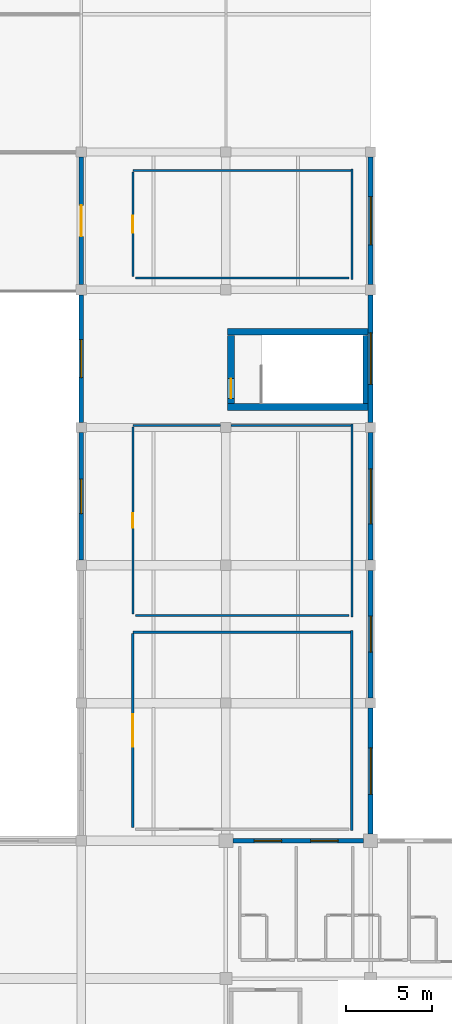
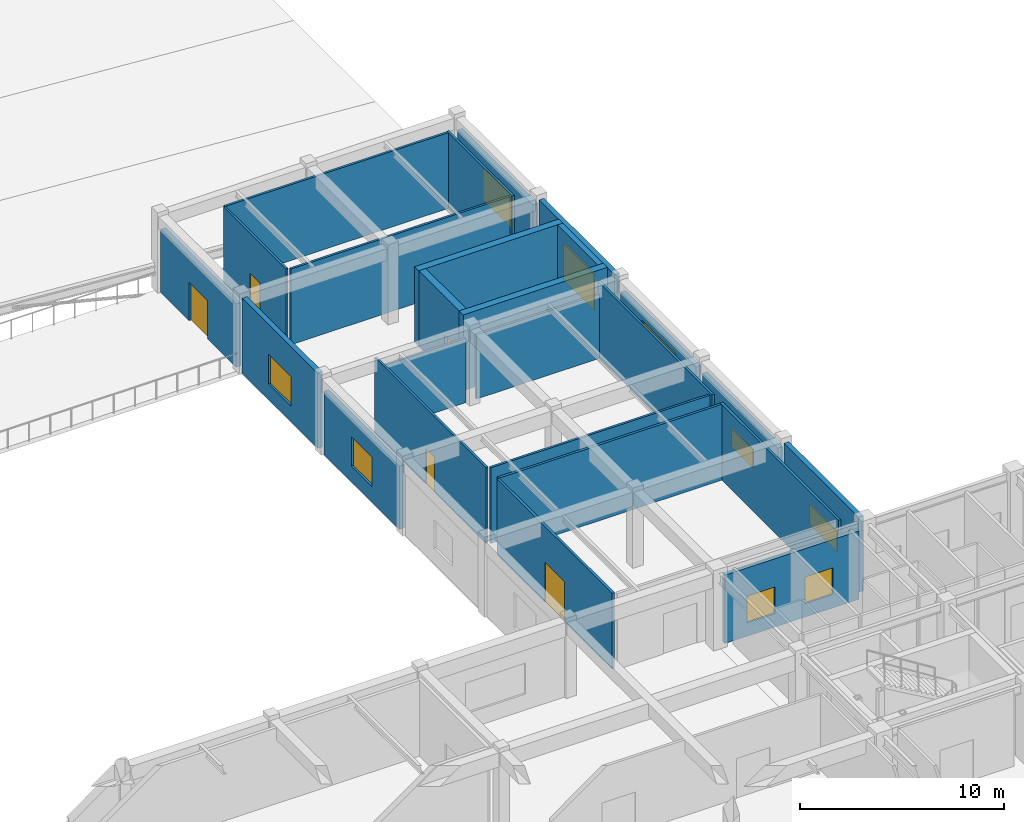
# One storey, part 23 of 37: 25 walls, 9 windows, 5 doors, 14 openings.
"""IFC4 building model written with IfcOpenShell, lengths in metres."""

from ifc_helpers import new_model, si_unit, direction, frame, frame_2d, origin, place, context, subcontext, project, spatial, rectangle, extrude, material, layer, layer_set, type_object, element, fill, save


model = new_model("IFC4")

# Units and contexts
model_context = context("Model", 3, precision=1e-05, world=origin(), true_north=direction((0.0, 1.0)))
body_context = subcontext(model_context, "Body", "Model", "MODEL_VIEW")
ifc_project = project(units=[si_unit("LENGTHUNIT", "METRE"), si_unit("AREAUNIT", "SQUARE_METRE"), si_unit("VOLUMEUNIT", "CUBIC_METRE"), si_unit("PLANEANGLEUNIT", "RADIAN"), si_unit("MASSUNIT", "GRAM", prefix="KILO")], contexts=[model_context])

# Site, building, storey
site_placement = place(None, origin())
site = spatial("IfcSite", under=ifc_project, at=site_placement, CompositionType="ELEMENT")
building_placement = place(site_placement, origin())
building = spatial("IfcBuilding", under=site, at=building_placement, Name="Naruveol Harbour Congress Hotel", CompositionType="ELEMENT")
storey_placement = place(building_placement, frame((0.0, 0.0, 16.199951171875)))
storey = spatial("IfcBuildingStorey", under=building, at=storey_placement, Name="L03", CompositionType="ELEMENT", Elevation=16.199951171875)

# Wall, opening, door
ifc_material_1 = material(Name="Acoustic Double Stud Gypsum", Category="gypsum")
ifc_layer_1 = layer(ifc_material_1, 0.139892578125)
ifc_layer_set_1 = layer_set([ifc_layer_1], Name="Acoustic Double Stud Gypsum")
wall_type_1 = type_object("IfcWallType", Name="ACOUSTIC MEETING PARTITION WALL 140", PredefinedType="PARTITIONING", material=ifc_layer_set_1)
wall_1_placement = place(storey_placement, frame((112.199951171875, 32.760009765625, 0.0), z_axis=(0.0, 0.0, 1.0), x_axis=(0.0, 1.0, 0.0)))
wall_1 = element("IfcWall", 1, at=wall_1_placement, inside=storey, type_object=wall_type_1, Name="Breakout Salon 302 west entry wall PW-140", PredefinedType="PARTITIONING", context=body_context, shape_type="SweptSolid", body=[
    extrude(rectangle(XDim=11.280029296875, YDim=0.139892578125, at=frame_2d((5.64013671875, 0.0))), origin(), (0.0, 0.0, 1.0), 4.53515625),
])
opening_1_placement = place(wall_1_placement, frame((4.68994140625, 0.0, 0.0)))
opening_1 = element("IfcOpeningElement", 2, at=opening_1_placement, cuts=wall_1, Name="Opening ID-LG-86", PredefinedType="OPENING", context=body_context, shape_type="SweptSolid", body=[
    extrude(rectangle(XDim=1.89990234375, YDim=2.39990234375, at=frame_2d((0.949951171875, 1.199951171875))), frame((0.0, 0.079833984375, 0.0), z_axis=(0.0, -1.0, 0.0), x_axis=(1.0, 0.0, 0.0)), (0.0, 0.0, 1.0), 0.159912109375),
])
ifc_material_2 = material(Name="Timber & Steel Acoustic Leaf", Category="steel")
door_type_1 = type_object("IfcDoorType", Name="RESTAURANT AND LOUNGE GLAZED DOOR 1900X2400", OperationType="DOUBLE_DOOR_SINGLE_SWING", PredefinedType="DOOR", material=ifc_material_2)
door_1_placement = place(opening_1_placement, origin())
door_1 = element("IfcDoor", 3, at=door_1_placement, inside=storey, type_object=door_type_1, Name="Breakout Salon 302 Entrance Door", OperationType="DOUBLE_DOOR_SINGLE_SWING", OverallHeight=2.39990234375, OverallWidth=1.89990234375, PredefinedType="DOOR", context=body_context, shape_type="SweptSolid", body=[
    extrude(rectangle(XDim=1.89990234375, YDim=2.39990234375, at=frame_2d((0.949951171875, 1.199951171875))), frame((0.0, 0.02490234375, 0.0), z_axis=(0.0, -1.0, 0.0), x_axis=(1.0, 0.0, 0.0)), (0.0, 0.0, 1.0), 0.050048828125),
])
fill(opening_1, door_1)

# Walls
wall_2_placement = place(storey_placement, frame((124.919921875, 32.60009765625, 0.0), z_axis=(0.0, 0.0, 1.0), x_axis=(0.0, 1.0, 0.0)))
element("IfcWall", 4, at=wall_2_placement, inside=storey, type_object=wall_type_1, Name="Breakout Salon 302 east enclosure partition PW-140", PredefinedType="PARTITIONING", context=body_context, shape_type="SweptSolid", body=[
    extrude(rectangle(XDim=11.599853515625, YDim=0.139892578125, at=frame_2d((5.7998046875, 0.0))), origin(), (0.0, 0.0, 1.0), 4.53515625),
])
wall_3_placement = place(storey_placement, frame((112.2119140625, 44.1201171875, 0.0), z_axis=(0.0, 0.0, 1.0), x_axis=(1.0, 0.0, 0.0)))
element("IfcWall", 5, at=wall_3_placement, inside=storey, type_object=wall_type_1, Name="Breakout Salon 302 north enclosure partition PW-140", PredefinedType="PARTITIONING", context=body_context, shape_type="SweptSolid", body=[
    extrude(rectangle(XDim=12.63818359375, YDim=0.139892578125, at=frame_2d((6.319091796875, 0.0))), origin(), (0.0, 0.0, 1.0), 4.53515625),
])

# Wall, opening, window
ifc_material_3 = material(Name="Precast concrete C40/50", Category="concrete")
ifc_layer_2 = layer(ifc_material_3, 0.280029296875)
ifc_layer_set_2 = layer_set([ifc_layer_2], Name="Precast concrete C40/50")
wall_type_2 = type_object("IfcWallType", Name="ARCHITECTURAL PRECAST FACADE WALL 280", PredefinedType="SOLIDWALL", material=ifc_layer_set_2)
wall_4_placement = place(storey_placement, frame((126.0, 71.699951171875, 0.0), z_axis=(0.0, 0.0, 1.0), x_axis=(0.0, -1.0, 0.0)))
wall_4 = element("IfcWall", 6, at=wall_4_placement, inside=storey, type_object=wall_type_2, Name="Courtyard wing east garden wall EW-280", PredefinedType="SOLIDWALL", context=body_context, shape_type="SweptSolid", body=[
    extrude(rectangle(XDim=7.39990234375, YDim=0.280029296875, at=frame_2d((3.699951171875, 0.0))), origin(), (0.0, 0.0, 1.0), 3.840087890625),
])
opening_2_placement = place(wall_4_placement, frame((2.300048828125, 0.0, 1.0)))
opening_2 = element("IfcOpeningElement", 7, at=opening_2_placement, cuts=wall_4, Name="Opening W-09", PredefinedType="OPENING", context=body_context, shape_type="SweptSolid", body=[
    extrude(rectangle(XDim=2.800048828125, YDim=1.949951171875, at=frame_2d((1.39990234375, 0.97509765625))), frame((0.0, 0.14990234375, 0.0), z_axis=(0.0, -1.0, 0.0), x_axis=(1.0, 0.0, 0.0)), (0.0, 0.0, 1.0), 0.300048828125),
])
ifc_material_4 = material(Name="Low-E Triple Glazing in Thermal Aluminium", Category="aluminium")
window_type_1 = type_object("IfcWindowType", Name="PRESIDENTIAL SUITE WINDOW 2800X1950", PartitioningType="DOUBLE_PANEL_VERTICAL", PredefinedType="WINDOW", material=ifc_material_4)
window_1_placement = place(opening_2_placement, origin())
window_1 = element("IfcWindow", 8, at=window_1_placement, inside=storey, type_object=window_type_1, Name="Window W-09 #157", OverallHeight=1.949951171875, OverallWidth=2.800048828125, PartitioningType="DOUBLE_PANEL_VERTICAL", PredefinedType="WINDOW", context=body_context, shape_type="SweptSolid", body=[
    extrude(rectangle(XDim=2.800048828125, YDim=1.949951171875, at=frame_2d((1.39990234375, 0.97509765625))), frame((0.0, 0.030029296875, 0.0), z_axis=(0.0, -1.0, 0.0), x_axis=(1.0, 0.0, 0.0)), (0.0, 0.0, 1.0), 0.06005859375),
])
fill(opening_2, window_1)

wall_5_placement = place(storey_placement, frame((126.0, 63.699951171875, 0.0), z_axis=(0.0, 0.0, 1.0), x_axis=(0.0, -1.0, 0.0)))
wall_5 = element("IfcWall", 9, at=wall_5_placement, inside=storey, type_object=wall_type_2, Name="Courtyard wing east garden wall EW-280", PredefinedType="SOLIDWALL", context=body_context, shape_type="SweptSolid", body=[
    extrude(rectangle(XDim=7.39990234375, YDim=0.280029296875, at=frame_2d((3.699951171875, 0.0))), origin(), (0.0, 0.0, 1.0), 4.5),
])
opening_3_placement = place(wall_5_placement, frame((2.199951171875, 0.0, 1.0)))
opening_3 = element("IfcOpeningElement", 10, at=opening_3_placement, cuts=wall_5, Name="Opening W-10", PredefinedType="OPENING", context=body_context, shape_type="SweptSolid", body=[
    extrude(rectangle(XDim=3.0, YDim=2.199951171875, at=frame_2d((1.5, 1.10009765625))), frame((0.0, 0.14990234375, 0.0), z_axis=(0.0, -1.0, 0.0), x_axis=(1.0, 0.0, 0.0)), (0.0, 0.0, 1.0), 0.300048828125),
])
ifc_material_5 = material(Name="Low-E Triple Glazing in Thermal Aluminium", Category="aluminium")
window_type_2 = type_object("IfcWindowType", Name="SKY LOUNGE RIBBON WINDOW 3000X2200", PartitioningType="DOUBLE_PANEL_VERTICAL", PredefinedType="WINDOW", material=ifc_material_5)
window_2_placement = place(opening_3_placement, origin())
window_2 = element("IfcWindow", 11, at=window_2_placement, inside=storey, type_object=window_type_2, Name="Window W-10 #158", OverallHeight=2.199951171875, OverallWidth=3.0, PartitioningType="DOUBLE_PANEL_VERTICAL", PredefinedType="WINDOW", context=body_context, shape_type="SweptSolid", body=[
    extrude(rectangle(XDim=3.0, YDim=2.199951171875, at=frame_2d((1.5, 1.10009765625))), frame((0.0, 0.030029296875, 0.0), z_axis=(0.0, -1.0, 0.0), x_axis=(1.0, 0.0, 0.0)), (0.0, 0.0, 1.0), 0.06005859375),
])
fill(opening_3, window_2)

wall_6_placement = place(storey_placement, frame((126.0, 55.699951171875, 0.0), z_axis=(0.0, 0.0, 1.0), x_axis=(0.0, -1.0, 0.0)))
wall_6 = element("IfcWall", 12, at=wall_6_placement, inside=storey, type_object=wall_type_2, Name="Courtyard wing east garden wall EW-280", PredefinedType="SOLIDWALL", context=body_context, shape_type="SweptSolid", body=[
    extrude(rectangle(XDim=7.39990234375, YDim=0.280029296875, at=frame_2d((3.699951171875, 0.0))), origin(), (0.0, 0.0, 1.0), 3.840087890625),
])
opening_4_placement = place(wall_6_placement, frame((2.10009765625, 0.0, 1.0)))
opening_4 = element("IfcOpeningElement", 13, at=opening_4_placement, cuts=wall_6, Name="Opening W-11", PredefinedType="OPENING", context=body_context, shape_type="SweptSolid", body=[
    extrude(rectangle(XDim=3.199951171875, YDim=2.39990234375, at=frame_2d((1.60009765625, 1.199951171875))), frame((0.0, 0.14990234375, 0.0), z_axis=(0.0, -1.0, 0.0), x_axis=(1.0, 0.0, 0.0)), (0.0, 0.0, 1.0), 0.300048828125),
])
ifc_material_6 = material(Name="Low-E Triple Glazing in Thermal Aluminium", Category="aluminium")
window_type_3 = type_object("IfcWindowType", Name="BRASSERIE WATERFRONT WINDOW 3200X2400", PartitioningType="DOUBLE_PANEL_VERTICAL", PredefinedType="WINDOW", material=ifc_material_6)
window_3_placement = place(opening_4_placement, origin())
window_3 = element("IfcWindow", 14, at=window_3_placement, inside=storey, type_object=window_type_3, Name="Window W-11 #159", OverallHeight=2.39990234375, OverallWidth=3.199951171875, PartitioningType="DOUBLE_PANEL_VERTICAL", PredefinedType="WINDOW", context=body_context, shape_type="SweptSolid", body=[
    extrude(rectangle(XDim=3.199951171875, YDim=2.39990234375, at=frame_2d((1.60009765625, 1.199951171875))), frame((0.0, 0.030029296875, 0.0), z_axis=(0.0, -1.0, 0.0), x_axis=(1.0, 0.0, 0.0)), (0.0, 0.0, 1.0), 0.06005859375),
])
fill(opening_4, window_3)

wall_7_placement = place(storey_placement, frame((126.0, 47.699951171875, 0.0), z_axis=(0.0, 0.0, 1.0), x_axis=(0.0, -1.0, 0.0)))
wall_7 = element("IfcWall", 15, at=wall_7_placement, inside=storey, type_object=wall_type_2, Name="Courtyard wing east garden wall EW-280", PredefinedType="SOLIDWALL", context=body_context, shape_type="SweptSolid", body=[
    extrude(rectangle(XDim=7.39990234375, YDim=0.280029296875, at=frame_2d((3.699951171875, 0.0))), origin(), (0.0, 0.0, 1.0), 3.840087890625),
])
opening_5_placement = place(wall_7_placement, frame((2.64990234375, 0.0, 1.0)))
opening_5 = element("IfcOpeningElement", 16, at=opening_5_placement, cuts=wall_7, Name="Opening W-17", PredefinedType="OPENING", context=body_context, shape_type="SweptSolid", body=[
    extrude(rectangle(XDim=2.10009765625, YDim=1.10009765625, at=frame_2d((1.050048828125, 0.550048828125))), frame((0.0, 0.14990234375, 0.0), z_axis=(0.0, -1.0, 0.0), x_axis=(1.0, 0.0, 0.0)), (0.0, 0.0, 1.0), 0.300048828125),
])
ifc_material_7 = material(Name="Low-E Triple Glazing in Thermal Aluminium", Category="aluminium")
window_type_4 = type_object("IfcWindowType", Name="SPA HIGHLIGHT WINDOW 2100X1100", PartitioningType="DOUBLE_PANEL_VERTICAL", PredefinedType="WINDOW", material=ifc_material_7)
window_4_placement = place(opening_5_placement, origin())
window_4 = element("IfcWindow", 17, at=window_4_placement, inside=storey, type_object=window_type_4, Name="Window W-17 #160", OverallHeight=1.10009765625, OverallWidth=2.10009765625, PartitioningType="DOUBLE_PANEL_VERTICAL", PredefinedType="WINDOW", context=body_context, shape_type="SweptSolid", body=[
    extrude(rectangle(XDim=2.10009765625, YDim=1.10009765625, at=frame_2d((1.050048828125, 0.550048828125))), frame((0.0, 0.030029296875, 0.0), z_axis=(0.0, -1.0, 0.0), x_axis=(1.0, 0.0, 0.0)), (0.0, 0.0, 1.0), 0.06005859375),
])
fill(opening_5, window_4)

wall_8_placement = place(storey_placement, frame((126.0, 39.699951171875, 0.0), z_axis=(0.0, 0.0, 1.0), x_axis=(0.0, -1.0, 0.0)))
wall_8 = element("IfcWall", 18, at=wall_8_placement, inside=storey, type_object=wall_type_2, Name="Courtyard wing east garden wall EW-280", PredefinedType="SOLIDWALL", context=body_context, shape_type="SweptSolid", body=[
    extrude(rectangle(XDim=7.300048828125, YDim=0.280029296875, at=frame_2d((3.64990234375, 0.0))), origin(), (0.0, 0.0, 1.0), 4.5),
])
opening_6_placement = place(wall_8_placement, frame((2.300048828125, 0.0, 1.0)))
opening_6 = element("IfcOpeningElement", 19, at=opening_6_placement, cuts=wall_8, Name="Opening W-18", PredefinedType="OPENING", context=body_context, shape_type="SweptSolid", body=[
    extrude(rectangle(XDim=2.699951171875, YDim=1.199951171875, at=frame_2d((1.35009765625, 0.60009765625))), frame((0.0, 0.14990234375, 0.0), z_axis=(0.0, -1.0, 0.0), x_axis=(1.0, 0.0, 0.0)), (0.0, 0.0, 1.0), 0.300048828125),
])
ifc_material_8 = material(Name="Low-E Triple Glazing in Thermal Aluminium", Category="aluminium")
window_type_5 = type_object("IfcWindowType", Name="BANQUET KITCHEN CLERESTORY 2700X1200", PartitioningType="DOUBLE_PANEL_VERTICAL", PredefinedType="WINDOW", material=ifc_material_8)
window_5_placement = place(opening_6_placement, origin())
window_5 = element("IfcWindow", 20, at=window_5_placement, inside=storey, type_object=window_type_5, Name="Window W-18 #161", OverallHeight=1.199951171875, OverallWidth=2.699951171875, PartitioningType="DOUBLE_PANEL_VERTICAL", PredefinedType="WINDOW", context=body_context, shape_type="SweptSolid", body=[
    extrude(rectangle(XDim=2.699951171875, YDim=1.199951171875, at=frame_2d((1.35009765625, 0.60009765625))), frame((0.0, 0.030029296875, 0.0), z_axis=(0.0, -1.0, 0.0), x_axis=(1.0, 0.0, 0.0)), (0.0, 0.0, 1.0), 0.06005859375),
])
fill(opening_6, window_5)

wall_9_placement = place(storey_placement, frame((109.199951171875, 48.300048828125, 0.0), z_axis=(0.0, 0.0, 1.0), x_axis=(0.0, 1.0, 0.0)))
wall_9 = element("IfcWall", 21, at=wall_9_placement, inside=storey, type_object=wall_type_2, Name="Level L03 north garden step-back wall EW-280", PredefinedType="SOLIDWALL", context=body_context, shape_type="SweptSolid", body=[
    extrude(rectangle(XDim=7.39990234375, YDim=0.280029296875, at=frame_2d((3.699951171875, 0.0))), origin(), (0.0, 0.0, 1.0), 3.7900390625),
])
opening_7_placement = place(wall_9_placement, frame((2.699951171875, 0.0, 0.949951171875)))
opening_7 = element("IfcOpeningElement", 22, at=opening_7_placement, cuts=wall_9, Name="Opening W-05", PredefinedType="OPENING", context=body_context, shape_type="SweptSolid", body=[
    extrude(rectangle(XDim=2.0, YDim=1.75, at=frame_2d((1.0, 0.875))), frame((0.0, 0.14990234375, 0.0), z_axis=(0.0, -1.0, 0.0), x_axis=(1.0, 0.0, 0.0)), (0.0, 0.0, 1.0), 0.300048828125),
])
ifc_material_9 = material(Name="Low-E Triple Glazing in Thermal Aluminium", Category="aluminium")
window_type_6 = type_object("IfcWindowType", Name="GARDEN SUITE WINDOW 2000X1750", PartitioningType="DOUBLE_PANEL_VERTICAL", PredefinedType="WINDOW", material=ifc_material_9)
window_6_placement = place(opening_7_placement, origin())
window_6 = element("IfcWindow", 23, at=window_6_placement, inside=storey, type_object=window_type_6, Name="Window W-05 #172", OverallHeight=1.75, OverallWidth=2.0, PartitioningType="DOUBLE_PANEL_VERTICAL", PredefinedType="WINDOW", context=body_context, shape_type="SweptSolid", body=[
    extrude(rectangle(XDim=2.0, YDim=1.75, at=frame_2d((1.0, 0.875))), frame((0.0, 0.030029296875, 0.0), z_axis=(0.0, -1.0, 0.0), x_axis=(1.0, 0.0, 0.0)), (0.0, 0.0, 1.0), 0.06005859375),
])
fill(opening_7, window_6)

wall_10_placement = place(storey_placement, frame((109.199951171875, 56.300048828125, 0.0), z_axis=(0.0, 0.0, 1.0), x_axis=(0.0, 1.0, 0.0)))
wall_10 = element("IfcWall", 24, at=wall_10_placement, inside=storey, type_object=wall_type_2, Name="Level L03 north garden step-back wall EW-280", PredefinedType="SOLIDWALL", context=body_context, shape_type="SweptSolid", body=[
    extrude(rectangle(XDim=7.39990234375, YDim=0.280029296875, at=frame_2d((3.699951171875, 0.0))), origin(), (0.0, 0.0, 1.0), 4.5),
])
opening_8_placement = place(wall_10_placement, frame((2.60009765625, 0.0, 0.949951171875)))
opening_8 = element("IfcOpeningElement", 25, at=opening_8_placement, cuts=wall_10, Name="Opening W-06", PredefinedType="OPENING", context=body_context, shape_type="SweptSolid", body=[
    extrude(rectangle(XDim=2.199951171875, YDim=1.75, at=frame_2d((1.10009765625, 0.875))), frame((0.0, 0.14990234375, 0.0), z_axis=(0.0, -1.0, 0.0), x_axis=(1.0, 0.0, 0.0)), (0.0, 0.0, 1.0), 0.300048828125),
])
ifc_material_10 = material(Name="Low-E Triple Glazing in Thermal Aluminium", Category="aluminium")
window_type_7 = type_object("IfcWindowType", Name="HARBOUR SUITE WINDOW 2200X1750", PartitioningType="DOUBLE_PANEL_VERTICAL", PredefinedType="WINDOW", material=ifc_material_10)
window_7_placement = place(opening_8_placement, origin())
window_7 = element("IfcWindow", 26, at=window_7_placement, inside=storey, type_object=window_type_7, Name="Window W-06 #173", OverallHeight=1.75, OverallWidth=2.199951171875, PartitioningType="DOUBLE_PANEL_VERTICAL", PredefinedType="WINDOW", context=body_context, shape_type="SweptSolid", body=[
    extrude(rectangle(XDim=2.199951171875, YDim=1.75, at=frame_2d((1.10009765625, 0.875))), frame((0.0, 0.030029296875, 0.0), z_axis=(0.0, -1.0, 0.0), x_axis=(1.0, 0.0, 0.0)), (0.0, 0.0, 1.0), 0.06005859375),
])
fill(opening_8, window_7)

# Wall, opening, door
wall_11_placement = place(storey_placement, frame((109.199951171875, 64.300048828125, 0.0), z_axis=(0.0, 0.0, 1.0), x_axis=(0.0, 1.0, 0.0)))
wall_11 = element("IfcWall", 27, at=wall_11_placement, inside=storey, type_object=wall_type_2, Name="Level L03 north garden step-back wall EW-280", PredefinedType="SOLIDWALL", context=body_context, shape_type="SweptSolid", body=[
    extrude(rectangle(XDim=7.39990234375, YDim=0.280029296875, at=frame_2d((3.699951171875, 0.0))), origin(), (0.0, 0.0, 1.0), 3.7900390625),
])
opening_9_placement = place(wall_11_placement, frame((2.800048828125, 0.0, 0.0)))
opening_9 = element("IfcOpeningElement", 28, at=opening_9_placement, cuts=wall_11, Name="Opening ED-TR33", PredefinedType="OPENING", context=body_context, shape_type="SweptSolid", body=[
    extrude(rectangle(XDim=1.800048828125, YDim=2.300048828125, at=frame_2d((0.89990234375, 1.14990234375))), frame((0.0, 0.14990234375, 0.0), z_axis=(0.0, -1.0, 0.0), x_axis=(1.0, 0.0, 0.0)), (0.0, 0.0, 1.0), 0.300048828125),
])
ifc_material_11 = material(Name="Powder-Coated Steel & Insulated Glazing", Category="steel")
door_type_2 = type_object("IfcDoorType", Name="ROOF TERRACE ACCESS DOOR 1800X2300", OperationType="DOUBLE_DOOR_SINGLE_SWING", PredefinedType="DOOR", material=ifc_material_11)
door_2_placement = place(opening_9_placement, origin())
door_2 = element("IfcDoor", 29, at=door_2_placement, inside=storey, type_object=door_type_2, Name="L03 North Courtyard Garden Door ED-TR33", OperationType="DOUBLE_DOOR_SINGLE_SWING", OverallHeight=2.300048828125, OverallWidth=1.800048828125, PredefinedType="DOOR", context=body_context, shape_type="SweptSolid", body=[
    extrude(rectangle(XDim=1.800048828125, YDim=2.300048828125, at=frame_2d((0.89990234375, 1.14990234375))), frame((0.0, 0.02490234375, 0.0), z_axis=(0.0, -1.0, 0.0), x_axis=(1.0, 0.0, 0.0)), (0.0, 0.0, 1.0), 0.050048828125),
])
fill(opening_9, door_2)

# Wall, openings, windows
ifc_material_12 = material(Name="Concrete C40/50", Category="concrete")
ifc_layer_3 = layer(ifc_material_12, 0.239990234375)
ifc_layer_set_3 = layer_set([ifc_layer_3], Name="Concrete C40/50")
wall_type_3 = type_object("IfcWallType", Name="INSULATED HOTEL SPANDREL WALL 240", PredefinedType="SOLIDWALL", material=ifc_layer_set_3)
wall_12_placement = place(storey_placement, frame((118.0, 32.0, 0.0), z_axis=(0.0, 0.0, 1.0), x_axis=(1.0, 0.0, 0.0)))
wall_12 = element("IfcWall", 30, at=wall_12_placement, inside=storey, type_object=wall_type_3, Name="Hotel north bay wall L03 EW-240", PredefinedType="SOLIDWALL", context=body_context, shape_type="SweptSolid", body=[
    extrude(rectangle(XDim=7.60009765625, YDim=0.239990234375, at=frame_2d((3.800048828125, 0.0))), origin(), (0.0, 0.0, 1.0), 4.090087890625),
])
opening_10_placement = place(wall_12_placement, frame((1.239990234375, 0.0, 0.800048828125)))
opening_10 = element("IfcOpeningElement", 31, at=opening_10_placement, cuts=wall_12, Name="Opening W-03", PredefinedType="OPENING", context=body_context, shape_type="SweptSolid", body=[
    extrude(rectangle(XDim=1.60009765625, YDim=1.60009765625, at=frame_2d((0.800048828125, 0.800048828125))), frame((0.0, 0.1298828125, 0.0), z_axis=(0.0, -1.0, 0.0), x_axis=(1.0, 0.0, 0.0)), (0.0, 0.0, 1.0), 0.260009765625),
])
opening_11_placement = place(wall_12_placement, frame((4.52001953125, 0.0, 0.800048828125)))
opening_11 = element("IfcOpeningElement", 32, at=opening_11_placement, cuts=wall_12, Name="Opening W-03", PredefinedType="OPENING", context=body_context, shape_type="SweptSolid", body=[
    extrude(rectangle(XDim=1.60009765625, YDim=1.60009765625, at=frame_2d((0.800048828125, 0.800048828125))), frame((0.0, 0.1298828125, 0.0), z_axis=(0.0, -1.0, 0.0), x_axis=(1.0, 0.0, 0.0)), (0.0, 0.0, 1.0), 0.260009765625),
])
ifc_material_13 = material(Name="Low-E Triple Glazing in Thermal Aluminium", Category="aluminium")
window_type_8 = type_object("IfcWindowType", Name="DELUXE GUEST WINDOW 1600X1600", PartitioningType="SINGLE_PANEL", PredefinedType="WINDOW", material=ifc_material_13)
window_8_placement = place(opening_10_placement, origin())
window_8 = element("IfcWindow", 33, at=window_8_placement, inside=storey, type_object=window_type_8, Name="Window W-03 #227", OverallHeight=1.60009765625, OverallWidth=1.60009765625, PartitioningType="SINGLE_PANEL", PredefinedType="WINDOW", context=body_context, shape_type="SweptSolid", body=[
    extrude(rectangle(XDim=1.60009765625, YDim=1.60009765625, at=frame_2d((0.800048828125, 0.800048828125))), frame((0.0, 0.030029296875, 0.0), z_axis=(0.0, -1.0, 0.0), x_axis=(1.0, 0.0, 0.0)), (0.0, 0.0, 1.0), 0.06005859375),
])
fill(opening_10, window_8)
window_9_placement = place(opening_11_placement, origin())
window_9 = element("IfcWindow", 34, at=window_9_placement, inside=storey, type_object=window_type_8, Name="Window W-03 #228", OverallHeight=1.60009765625, OverallWidth=1.60009765625, PartitioningType="SINGLE_PANEL", PredefinedType="WINDOW", context=body_context, shape_type="SweptSolid", body=[
    extrude(rectangle(XDim=1.60009765625, YDim=1.60009765625, at=frame_2d((0.800048828125, 0.800048828125))), frame((0.0, 0.030029296875, 0.0), z_axis=(0.0, -1.0, 0.0), x_axis=(1.0, 0.0, 0.0)), (0.0, 0.0, 1.0), 0.06005859375),
])
fill(opening_11, window_9)

# Walls
ifc_material_14 = material(Name="Concrete C50/60", Category="concrete")
ifc_layer_4 = layer(ifc_material_14, 0.39990234375)
ifc_layer_set_4 = layer_set([ifc_layer_4], Name="Concrete C50/60")
wall_type_4 = type_object("IfcWallType", Name="RC CORE SHEAR WALL 400 EI120", PredefinedType="SHEAR", material=ifc_layer_set_4)
for number, where, z_axis, x_axis, name in (
    (35, (117.699951171875, 57.199951171875, 0.0), (0.0, 0.0, 1.0), (1.0, 0.0, 0.0), "Stair ST9 south core wall CW-400"),
    (36, (117.699951171875, 61.56005859375, 0.0), (0.0, 0.0, 1.0), (1.0, 0.0, 0.0), "Stair ST9 north core wall CW-400"),
):
    element("IfcWall", number, at=place(storey_placement, frame(where, z_axis=z_axis, x_axis=x_axis)), inside=storey, type_object=wall_type_4, Name=name, PredefinedType="SHEAR", context=body_context, shape_type="SweptSolid", body=[
        extrude(rectangle(XDim=8.150146484375, YDim=0.39990234375, at=frame_2d((4.0751953125, 0.0))), origin(), (0.0, 0.0, 1.0), 4.53515625),
    ])

# Wall, opening, door
wall_13_placement = place(storey_placement, frame((117.89990234375, 57.405029296875, 0.0), z_axis=(0.0, 0.0, 1.0), x_axis=(0.0, 1.0, 0.0)))
wall_13 = element("IfcWall", 37, at=wall_13_placement, inside=storey, type_object=wall_type_4, Name="Stair ST9 west core wall CW-400", PredefinedType="SHEAR", context=body_context, shape_type="SweptSolid", body=[
    extrude(rectangle(XDim=3.949951171875, YDim=0.39990234375, at=frame_2d((1.97509765625, 0.0))), origin(), (0.0, 0.0, 1.0), 4.53515625),
])
opening_12_placement = place(wall_13_placement, frame((0.280029296875, 0.0, 0.0)))
opening_12 = element("IfcOpeningElement", 38, at=opening_12_placement, cuts=wall_13, Name="Opening FD-ST9-L03", PredefinedType="OPENING", context=body_context, shape_type="SweptSolid", body=[
    extrude(rectangle(XDim=1.159912109375, YDim=2.199951171875, at=frame_2d((0.580078125, 1.10009765625))), frame((0.0, 0.2099609375, 0.0), z_axis=(0.0, -1.0, 0.0), x_axis=(1.0, 0.0, 0.0)), (0.0, 0.0, 1.0), 0.419921875),
])
ifc_material_15 = material(Name="Timber & Steel Acoustic Leaf", Category="steel")
door_type_3 = type_object("IfcDoorType", Name="SPECIAL ESCAPE STAIR FIRE DOOR 1160X2200", OperationType="NOTDEFINED", PredefinedType="DOOR", material=ifc_material_15)
door_3_placement = place(opening_12_placement, origin())
door_3 = element("IfcDoor", 39, at=door_3_placement, inside=storey, type_object=door_type_3, Name="Enclosed Exit Stair Door ST9 L03", OperationType="SINGLE_SWING_LEFT", OverallHeight=2.199951171875, OverallWidth=1.159912109375, PredefinedType="DOOR", context=body_context, shape_type="SweptSolid", body=[
    extrude(rectangle(XDim=1.159912109375, YDim=2.199951171875, at=frame_2d((0.580078125, 1.10009765625))), frame((0.0, 0.02490234375, 0.0), z_axis=(0.0, -1.0, 0.0), x_axis=(1.0, 0.0, 0.0)), (0.0, 0.0, 1.0), 0.050048828125),
])
fill(opening_12, door_3)

# Wall
ifc_material_16 = material(Name="Concrete C50/60", Category="concrete")
ifc_layer_5 = layer(ifc_material_16, 0.300048828125)
ifc_layer_set_5 = layer_set([ifc_layer_5], Name="Concrete C50/60")
wall_type_5 = type_object("IfcWallType", Name="RC STAIR AND HOISTWAY SHEAR WALL 300 EI120", PredefinedType="SHEAR", material=ifc_layer_set_5)
wall_14_placement = place(storey_placement, frame((125.699951171875, 57.405029296875, 0.0), z_axis=(0.0, 0.0, 1.0), x_axis=(0.0, 1.0, 0.0)))
element("IfcWall", 40, at=wall_14_placement, inside=storey, type_object=wall_type_5, Name="Stair ST9 east core wall SW-300", PredefinedType="SHEAR", context=body_context, shape_type="SweptSolid", body=[
    extrude(rectangle(XDim=3.949951171875, YDim=0.300048828125, at=frame_2d((1.97509765625, 0.0))), origin(), (0.0, 0.0, 1.0), 4.53515625),
])

# Wall, opening, door
ifc_material_17 = material(Name="Acoustic Double Stud Gypsum", Category="gypsum")
ifc_layer_6 = layer(ifc_material_17, 0.125)
ifc_layer_set_6 = layer_set([ifc_layer_6], Name="Acoustic Double Stud Gypsum")
wall_type_6 = type_object("IfcWallType", Name="SERVICE CHASE PARTITION WALL 125", PredefinedType="PARTITIONING", material=ifc_layer_set_6)
wall_15_placement = place(storey_placement, frame((112.199951171875, 45.159912109375, 0.0), z_axis=(0.0, 0.0, 1.0), x_axis=(0.0, 1.0, 0.0)))
wall_15 = element("IfcWall", 41, at=wall_15_placement, inside=storey, type_object=wall_type_6, Name="Public Restrooms west entry wall PW-125", PredefinedType="PARTITIONING", context=body_context, shape_type="SweptSolid", body=[
    extrude(rectangle(XDim=10.880126953125, YDim=0.125, at=frame_2d((5.43994140625, 0.0))), origin(), (0.0, 0.0, 1.0), 4.53515625),
])
opening_13_placement = place(wall_15_placement, frame((5.010009765625, 0.0, 0.0)))
opening_13 = element("IfcOpeningElement", 42, at=opening_13_placement, cuts=wall_15, Name="Opening BD-WC-L03-87", PredefinedType="OPENING", context=body_context, shape_type="SweptSolid", body=[
    extrude(rectangle(XDim=0.860107421875, YDim=2.1201171875, at=frame_2d((0.43017578125, 1.06005859375))), frame((0.0, 0.072509765625, 0.0), z_axis=(0.0, -1.0, 0.0), x_axis=(1.0, 0.0, 0.0)), (0.0, 0.0, 1.0), 0.14501953125),
])
ifc_material_18 = material(Name="Timber & Steel Acoustic Leaf", Category="steel")
door_type_4 = type_object("IfcDoorType", Name="GUEST BATHROOM DOOR 860X2120", OperationType="NOTDEFINED", PredefinedType="DOOR", material=ifc_material_18)
door_4_placement = place(opening_13_placement, origin())
door_4 = element("IfcDoor", 43, at=door_4_placement, inside=storey, type_object=door_type_4, Name="Restroom Door L03", OperationType="SINGLE_SWING_RIGHT", OverallHeight=2.1201171875, OverallWidth=0.860107421875, PredefinedType="DOOR", context=body_context, shape_type="SweptSolid", body=[
    extrude(rectangle(XDim=0.860107421875, YDim=2.1201171875, at=frame_2d((0.43017578125, 1.06005859375))), frame((0.0, 0.02490234375, 0.0), z_axis=(0.0, -1.0, 0.0), x_axis=(1.0, 0.0, 0.0)), (0.0, 0.0, 1.0), 0.050048828125),
])
fill(opening_13, door_4)

# Wall
wall_16_placement = place(storey_placement, frame((112.340087890625, 45.080078125, 0.0), z_axis=(0.0, 0.0, 1.0), x_axis=(1.0, 0.0, 0.0)))
element("IfcWall", 44, at=wall_16_placement, inside=storey, type_object=wall_type_6, Name="Public Restrooms south partition PW-125", PredefinedType="PARTITIONING", context=body_context, shape_type="SweptSolid", body=[
    extrude(rectangle(XDim=12.409912109375, YDim=0.125, at=frame_2d((6.205078125, 0.0))), origin(), (0.0, 0.0, 1.0), 4.53515625),
])

# Wall, opening, door
wall_17_placement = place(storey_placement, frame((112.199951171875, 64.760009765625, 0.0), z_axis=(0.0, 0.0, 1.0), x_axis=(0.0, 1.0, 0.0)))
wall_17 = element("IfcWall", 45, at=wall_17_placement, inside=storey, type_object=wall_type_6, Name="Accessible Restroom west entry wall PW-125", PredefinedType="PARTITIONING", context=body_context, shape_type="SweptSolid", body=[
    extrude(rectangle(XDim=6.080078125, YDim=0.125, at=frame_2d((3.0400390625, 0.0))), origin(), (0.0, 0.0, 1.0), 4.53515625),
])
opening_14_placement = place(wall_17_placement, frame((2.550048828125, 0.0, 0.0)))
opening_14 = element("IfcOpeningElement", 46, at=opening_14_placement, cuts=wall_17, Name="Opening BD-ACC-L03-88", PredefinedType="OPENING", context=body_context, shape_type="SweptSolid", body=[
    extrude(rectangle(XDim=0.97998046875, YDim=2.14990234375, at=frame_2d((0.489990234375, 1.074951171875))), frame((0.0, 0.072509765625, 0.0), z_axis=(0.0, -1.0, 0.0), x_axis=(1.0, 0.0, 0.0)), (0.0, 0.0, 1.0), 0.14501953125),
])
ifc_material_19 = material(Name="Timber & Steel Acoustic Leaf", Category="steel")
door_type_5 = type_object("IfcDoorType", Name="ACCESSIBLE RESTROOM DOOR 980X2150", OperationType="NOTDEFINED", PredefinedType="DOOR", material=ifc_material_19)
door_5_placement = place(opening_14_placement, origin())
door_5 = element("IfcDoor", 47, at=door_5_placement, inside=storey, type_object=door_type_5, Name="Accessible Restroom Door L03", OperationType="SINGLE_SWING_LEFT", OverallHeight=2.14990234375, OverallWidth=0.97998046875, PredefinedType="DOOR", context=body_context, shape_type="SweptSolid", body=[
    extrude(rectangle(XDim=0.97998046875, YDim=2.14990234375, at=frame_2d((0.489990234375, 1.074951171875))), frame((0.0, 0.02490234375, 0.0), z_axis=(0.0, -1.0, 0.0), x_axis=(1.0, 0.0, 0.0)), (0.0, 0.0, 1.0), 0.050048828125),
])
fill(opening_14, door_5)

# Walls
wall_18_placement = place(storey_placement, frame((112.340087890625, 64.679931640625, 0.0), z_axis=(0.0, 0.0, 1.0), x_axis=(1.0, 0.0, 0.0)))
element("IfcWall", 48, at=wall_18_placement, inside=storey, type_object=wall_type_6, Name="Accessible Restroom south partition PW-125", PredefinedType="PARTITIONING", context=body_context, shape_type="SweptSolid", body=[
    extrude(rectangle(XDim=12.409912109375, YDim=0.125, at=frame_2d((6.205078125, 0.0))), origin(), (0.0, 0.0, 1.0), 4.53515625),
])
wall_19_placement = place(storey_placement, frame((124.919921875, 45.0, 0.0), z_axis=(0.0, 0.0, 1.0), x_axis=(0.0, 1.0, 0.0)))
element("IfcWall", 49, at=wall_19_placement, inside=storey, type_object=wall_type_6, Name="Public Restrooms east enclosure partition PW-125", PredefinedType="PARTITIONING", context=body_context, shape_type="SweptSolid", body=[
    extrude(rectangle(XDim=11.199951171875, YDim=0.125, at=frame_2d((5.60009765625, 0.0))), origin(), (0.0, 0.0, 1.0), 4.53515625),
])
wall_20_placement = place(storey_placement, frame((112.2041015625, 56.1201171875, 0.0), z_axis=(0.0, 0.0, 1.0), x_axis=(1.0, 0.0, 0.0)))
element("IfcWall", 50, at=wall_20_placement, inside=storey, type_object=wall_type_6, Name="Public Restrooms north enclosure partition PW-125", PredefinedType="PARTITIONING", context=body_context, shape_type="SweptSolid", body=[
    extrude(rectangle(XDim=5.095947265625, YDim=0.125, at=frame_2d((2.5478515625, 0.0))), origin(), (0.0, 0.0, 1.0), 3.840087890625),
])
wall_21_placement = place(storey_placement, frame((117.89990234375, 56.1201171875, 0.0), z_axis=(0.0, 0.0, 1.0), x_axis=(1.0, 0.0, 0.0)))
element("IfcWall", 51, at=wall_21_placement, inside=storey, type_object=wall_type_6, Name="Public Restrooms north enclosure partition PW-125", PredefinedType="PARTITIONING", context=body_context, shape_type="SweptSolid", body=[
    extrude(rectangle(XDim=6.9580078125, YDim=0.125, at=frame_2d((3.47900390625, 0.0))), origin(), (0.0, 0.0, 1.0), 3.840087890625),
])
wall_22_placement = place(storey_placement, frame((124.919921875, 64.60009765625, 0.0), z_axis=(0.0, 0.0, 1.0), x_axis=(0.0, 1.0, 0.0)))
element("IfcWall", 52, at=wall_22_placement, inside=storey, type_object=wall_type_6, Name="Accessible Restroom east enclosure partition PW-125", PredefinedType="PARTITIONING", context=body_context, shape_type="SweptSolid", body=[
    extrude(rectangle(XDim=6.39990234375, YDim=0.125, at=frame_2d((3.199951171875, 0.0))), origin(), (0.0, 0.0, 1.0), 4.53515625),
])
wall_23_placement = place(storey_placement, frame((112.2041015625, 70.919921875, 0.0), z_axis=(0.0, 0.0, 1.0), x_axis=(1.0, 0.0, 0.0)))
element("IfcWall", 53, at=wall_23_placement, inside=storey, type_object=wall_type_6, Name="Accessible Restroom north enclosure partition PW-125", PredefinedType="PARTITIONING", context=body_context, shape_type="SweptSolid", body=[
    extrude(rectangle(XDim=12.65380859375, YDim=0.125, at=frame_2d((6.326904296875, 0.0))), origin(), (0.0, 0.0, 1.0), 4.53515625),
])

save(model, "model.ifc")
